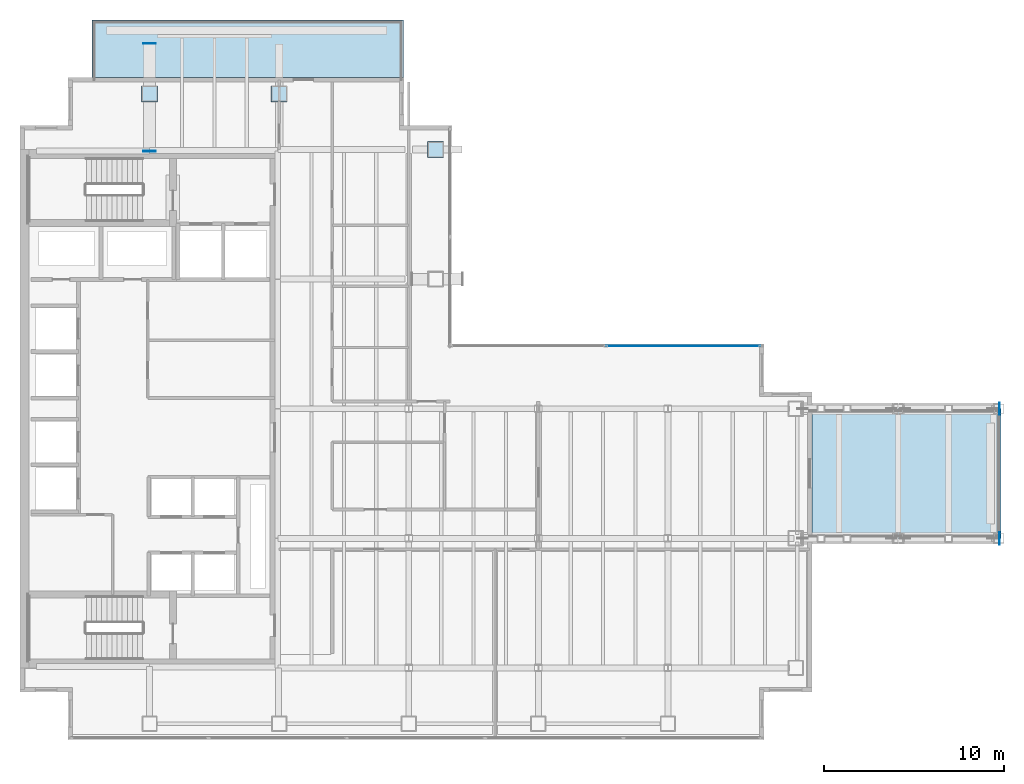
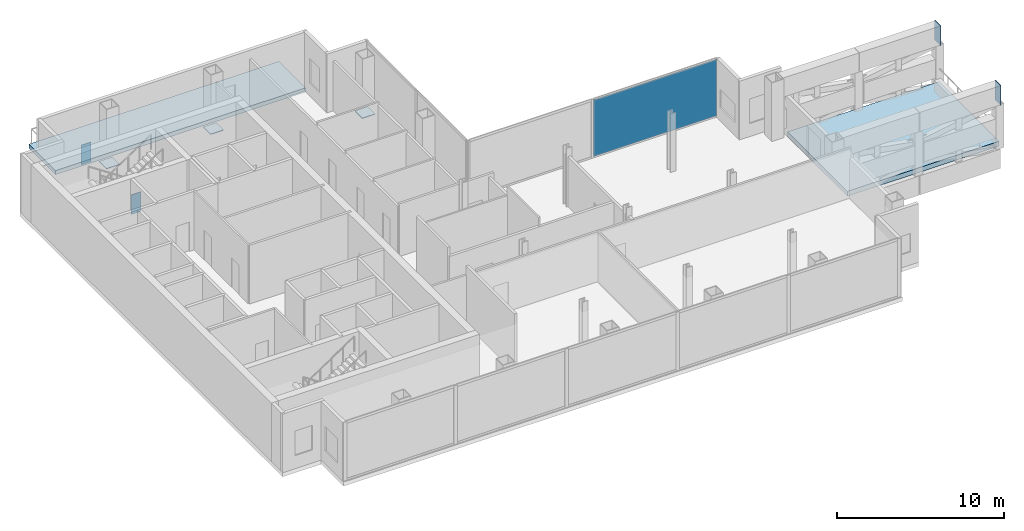
# One storey, part 14 of 20: 8 plates, 2 slabs, 1 element without a shape of its own.
"""IFC4 building model written with IfcOpenShell, lengths in metres."""

from ifc_helpers import new_model, si_unit, direction, frame, origin, origin_2d, place, context, subcontext, project, spatial, polyline, rectangle, outline, extrude, material, layer, layer_set, type_object, element, aggregate, save


model = new_model("IFC4")

# Units and contexts
model_context = context("Model", 3, precision=1e-05, world=origin(), true_north=direction((0.0, 1.0)))
body_context = subcontext(model_context, "Body", "Model", "MODEL_VIEW")
ifc_project = project(units=[si_unit("LENGTHUNIT", "METRE"), si_unit("AREAUNIT", "SQUARE_METRE"), si_unit("VOLUMEUNIT", "CUBIC_METRE"), si_unit("PLANEANGLEUNIT", "RADIAN"), si_unit("MASSUNIT", "GRAM", prefix="KILO")], contexts=[model_context])

# Site, building, storey
site_placement = place(None, origin())
site = spatial("IfcSite", under=ifc_project, at=site_placement, CompositionType="ELEMENT")
building_placement = place(site_placement, origin())
building = spatial("IfcBuilding", under=site, at=building_placement, Name="Cobrela Telecom Tower", CompositionType="ELEMENT")
storey_placement = place(building_placement, frame((0.0, 0.0, 168.699951171875)))
storey = spatial("IfcBuildingStorey", under=building, at=storey_placement, Name="L42", CompositionType="ELEMENT", Elevation=168.699951171875)

# Curtain wall, plate
ifc_material_1 = material(Name="Anodized Bronze Aluminium 6063-T6", Category="aluminium")
curtain_wall_type = type_object("IfcCurtainWallType", Name="CW-SYS-SKY", PredefinedType="USERDEFINED", material=ifc_material_1)
curtain_wall_placement = place(storey_placement, origin())
curtain_wall = element("IfcCurtainWall", 1, at=curtain_wall_placement, inside=storey, type_object=curtain_wall_type, Name="L42 Unitised Bronze Curtain Wall 11", ObjectType="UNITISED CURTAIN WALL", PredefinedType="USERDEFINED")
ifc_material_2 = material(Name="Solar-Control Bronze Low-E Glass", Category="glass")
ifc_layer_1 = layer(ifc_material_2, 0.0400390625)
ifc_layer_set_1 = layer_set([ifc_layer_1], Name="Solar-Control Bronze Low-E Glass")
plate_type_1 = type_object("IfcPlateType", Name="CW-SYS-SKY-PNL", PredefinedType="CURTAIN_PANEL", material=ifc_layer_set_1)
plate_placement = place(storey_placement, frame((36.857421875, 25.080078125, 0.0751953125), z_axis=(0.0, 0.0, 1.0), x_axis=(1.0, 0.0, 0.0)))
plate = element("IfcPlate", 2, at=plate_placement, type_object=plate_type_1, Name="CW-SKY panel 2.1", PredefinedType="CURTAIN_PANEL", context=body_context, shape_type="SweptSolid", body=[
    extrude(rectangle(XDim=8.544921875, YDim=0.0400390625, at=origin_2d()), origin(), (0.0, 0.0, 1.0), 4.139892578125),
])
aggregate(curtain_wall, [plate])

# Plates
ifc_material_3 = material(Name="Steel ASTM A572 Grade 50", Category="steel")
ifc_layer_2 = layer(ifc_material_3, 0.044921875)
ifc_layer_set_2 = layer_set([ifc_layer_2], Name="Steel ASTM A572 Grade 50")
plate_type_2 = type_object("IfcPlateType", Name="PLT-END-CAP-45", PredefinedType="SHEET", material=ifc_layer_set_2)
for number, where, z_axis, x_axis, name in (
    (3, (7.199951171875, 39.10009765625, -0.04248046875), (0.0, 0.0, 1.0), (1.0, 0.0, 0.0), "L42 Stepped Column Base Cap Plate 70"),
    (4, (14.39990234375, 39.10009765625, -0.04248046875), (0.0, 0.0, 1.0), (1.0, 0.0, 0.0), "L42 Stepped Column Base Cap Plate 71"),
    (5, (23.10009765625, 36.0, -0.04248046875), (0.0, 0.0, 1.0), (1.0, 0.0, 0.0), "L42 Stepped Column Base Cap Plate 73"),
):
    element("IfcPlate", number, at=place(storey_placement, frame(where, z_axis=z_axis, x_axis=x_axis)), inside=storey, type_object=plate_type_2, Name=name, PredefinedType="SHEET", context=body_context, shape_type="SweptSolid", body=[
        extrude(rectangle(XDim=0.889892578125, YDim=0.889892578125, at=origin_2d()), origin(), (0.0, 0.0, 1.0), 0.044921875),
    ])
ifc_layer_3 = layer(ifc_material_3, 0.0458984375)
ifc_layer_set_3 = layer_set([ifc_layer_3], Name="Steel ASTM A572 Grade 50")
plate_type_3 = type_object("IfcPlateType", Name="PLT-NODE-ND3", PredefinedType="USERDEFINED", material=ifc_layer_set_3)
for number, where, z_axis, x_axis, name in (
    (6, (7.199951171875, 35.905029296875, -1.719970703125), (0.0, 0.0, 1.0), (0.0, 1.0, 0.0), "Steel node plate PLT-BM-L42-BM-TRG-1400-Y-072-359-C0"),
    (7, (7.199951171875, 41.889892578125, -1.719970703125), (0.0, 0.0, 1.0), (0.0, 1.0, 0.0), "Steel node plate PLT-BM-L42-BM-TRG-1400-Y-072-359-C1"),
):
    element("IfcPlate", number, at=place(storey_placement, frame(where, z_axis=z_axis, x_axis=x_axis)), inside=storey, type_object=plate_type_3, Name=name, ObjectType="GUSSET PLATE", PredefinedType="USERDEFINED", context=body_context, shape_type="SweptSolid", body=[
        extrude(rectangle(XDim=0.044921875, YDim=0.68994140625, at=origin_2d()), origin(), (0.0, 0.0, 1.0), 1.43994140625),
    ])
ifc_layer_4 = layer(ifc_material_3, 0.048095703125)
ifc_layer_set_4 = layer_set([ifc_layer_4], Name="Steel ASTM A572 Grade 50")
plate_type_4 = type_object("IfcPlateType", Name="PLT-NODE-ND4", PredefinedType="USERDEFINED", material=ifc_layer_set_4)
for number, where, z_axis, x_axis, name in (
    (8, (54.419921875, 14.39990234375, 2.8701171875), (0.0, 0.0, 1.0), (1.0, 0.0, 0.0), "Steel node plate PLT-SP-TOP-1-2-C1"),
    (9, (54.419921875, 21.60009765625, 2.8701171875), (0.0, 0.0, 1.0), (1.0, 0.0, 0.0), "Steel node plate PLT-SP-TOP-2-2-C1"),
):
    element("IfcPlate", number, at=place(storey_placement, frame(where, z_axis=z_axis, x_axis=x_axis)), inside=storey, type_object=plate_type_4, Name=name, ObjectType="GUSSET PLATE", PredefinedType="USERDEFINED", context=body_context, shape_type="SweptSolid", body=[
        extrude(rectangle(XDim=0.044921875, YDim=0.68994140625, at=origin_2d()), origin(), (0.0, 0.0, 1.0), 1.43994140625),
    ])

# Slabs
ifc_material_4 = material(Name="Concrete C40/50", Category="concrete")
ifc_layer_5 = layer(ifc_material_4, 0.35009765625)
ifc_layer_set_5 = layer_set([ifc_layer_5], Name="Concrete C40/50")
slab_type_1 = type_object("IfcSlabType", Name="SLAB-POOL-350", PredefinedType="FLOOR", material=ifc_layer_set_5)
slab_1_placement = place(storey_placement, frame((0.0, 0.0, -0.349853515625)))
element("IfcSlab", 10, at=slab_1_placement, inside=storey, type_object=slab_type_1, Name="L42 Cantilevered Sky Pool Deck Slab", PredefinedType="FLOOR", context=body_context, shape_type="SweptSolid", body=[
    extrude(outline(polyline([(44.0, 14.39990234375), (54.5, 14.39990234375), (54.5, 21.60009765625), (44.0, 21.60009765625), (44.0, 14.39990234375)])), origin(), (0.0, 0.0, 1.0), 0.349853515625),
])
ifc_layer_6 = layer(ifc_material_4, 0.280029296875)
ifc_layer_set_6 = layer_set([ifc_layer_6], Name="Concrete C40/50")
slab_type_2 = type_object("IfcSlabType", Name="SLAB-TERR-280", PredefinedType="FLOOR", material=ifc_layer_set_6)
slab_2_placement = place(storey_placement, frame((0.0, 0.0, -0.300048828125)))
element("IfcSlab", 11, at=slab_2_placement, inside=storey, type_object=slab_type_2, Name="L42 North-East Setback Sky Garden Terrace", PredefinedType="FLOOR", context=body_context, shape_type="SweptSolid", body=[
    extrude(outline(polyline([(4.0, 40.0), (21.300048828125, 40.0), (21.300048828125, 43.199951171875), (4.0, 43.199951171875), (4.0, 40.0)])), origin(), (0.0, 0.0, 1.0), 0.300048828125),
])

save(model, "model.ifc")
